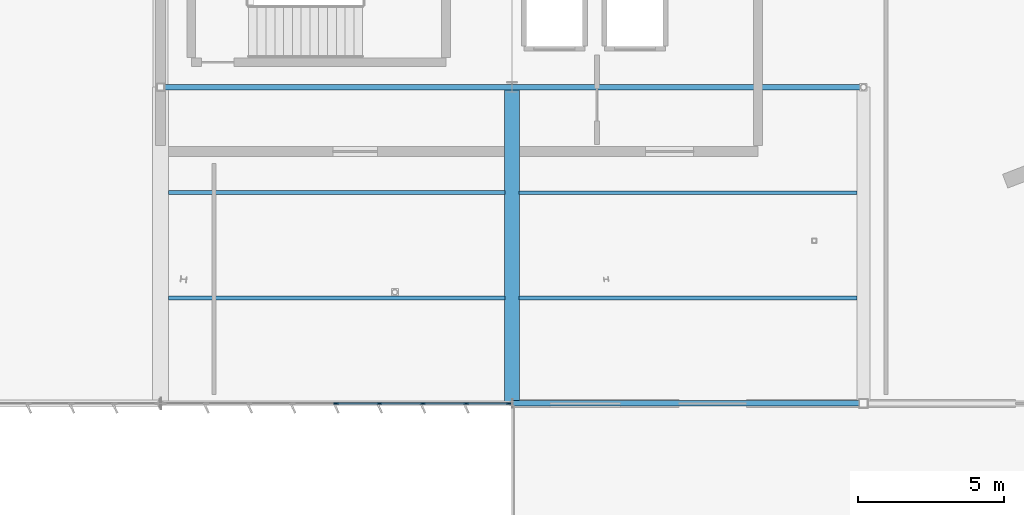
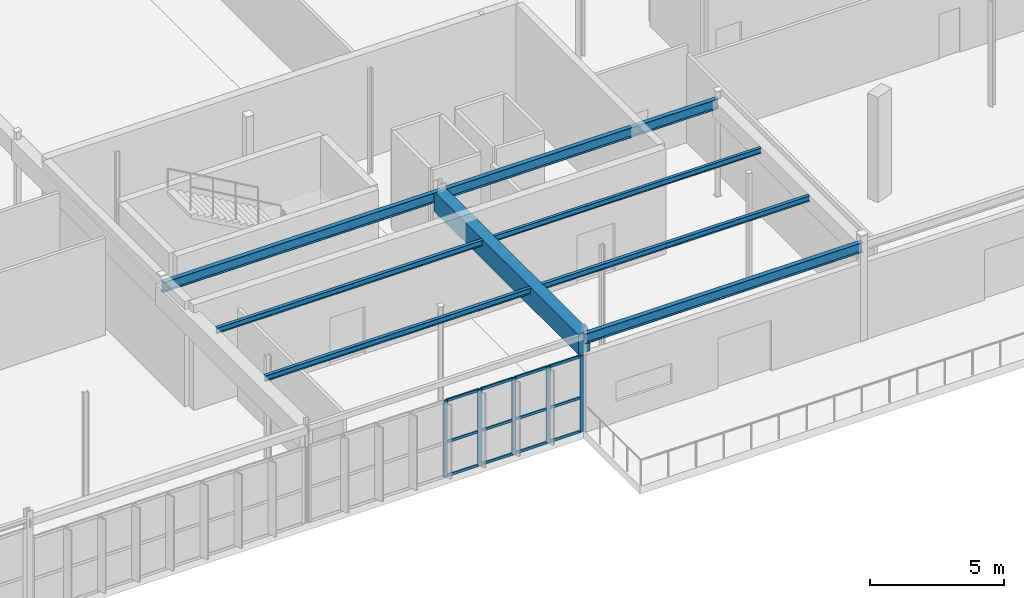
# One storey, part 74 of 199: 17 members, 8 beams, 1 element without a shape of its own.
"""IFC4 building model written with IfcOpenShell, lengths in metres."""

from ifc_helpers import new_model, si_unit, direction, frame, origin, origin_2d, place, context, subcontext, project, spatial, rectangle, i_section, extrude, material, layer, layer_set, material_profile, profile_set, type_object, element, aggregate, save


model = new_model("IFC4")

# Units and contexts
model_context = context("Model", 3, precision=1e-05, world=origin(), true_north=direction((0.0, 1.0)))
body_context = subcontext(model_context, "Body", "Model", "MODEL_VIEW")
ifc_project = project(units=[si_unit("LENGTHUNIT", "METRE"), si_unit("AREAUNIT", "SQUARE_METRE"), si_unit("VOLUMEUNIT", "CUBIC_METRE"), si_unit("PLANEANGLEUNIT", "RADIAN"), si_unit("MASSUNIT", "GRAM", prefix="KILO")], contexts=[model_context])

# Site, building, storey
site_placement = place(None, origin())
site = spatial("IfcSite", under=ifc_project, at=site_placement, CompositionType="ELEMENT")
building_placement = place(site_placement, origin())
building = spatial("IfcBuilding", under=site, at=building_placement, Name="Tarnwether General Hospital", CompositionType="ELEMENT")
storey_placement = place(building_placement, origin())
storey = spatial("IfcBuildingStorey", under=building, at=storey_placement, Name="L00", CompositionType="ELEMENT", Elevation=0.0)

# Beams
ifc_material_1 = material(Name="Steel Grade 350 (350 MPa)", Category="steel")
ifc_material_profile_1 = material_profile(ifc_material_1, i_section(OverallWidth=0.18994140625, OverallDepth=0.45703125, WebThickness=0.009033203125, FlangeThickness=0.014404296875, at=origin_2d()), Name="460UB74.6")
ifc_profile_set_1 = profile_set([ifc_material_profile_1], Name="Steel Grade 350 (350 MPa)")
beam_type_1 = type_object("IfcBeamType", Name="BM-G09", PredefinedType="BEAM", material=ifc_profile_set_1)
beam_1_placement = place(storey_placement, frame((84.0, 10.800048828125, 4.216552734375), z_axis=(1.0, 0.0, 0.0), x_axis=(0.0, 1.0, 0.0)))
element("IfcBeam", 1, at=beam_1_placement, inside=storey, type_object=beam_type_1, Name="Primary Girder BMG-L00-8400_1080-9600_1080-0719", PredefinedType="BEAM", context=body_context, shape_type="SweptSolid", body=[
    extrude(i_section(OverallWidth=0.18994140625, OverallDepth=0.45703125, WebThickness=0.009033203125, FlangeThickness=0.014404296875, at=origin_2d()), origin(), (0.0, 0.0, 1.0), 12.0),
])
ifc_material_2 = material(Name="Steel Grade 350 (350 MPa)", Category="steel")
ifc_material_profile_2 = material_profile(ifc_material_2, i_section(OverallWidth=0.18994140625, OverallDepth=0.4541015625, WebThickness=0.008544921875, FlangeThickness=0.0126953125, at=origin_2d()), Name="460UB67.1")
ifc_profile_set_2 = profile_set([ifc_material_profile_2], Name="Steel Grade 350 (350 MPa)")
beam_type_2 = type_object("IfcBeamType", Name="BM-G10", PredefinedType="BEAM", material=ifc_profile_set_2)
beam_2_placement = place(storey_placement, frame((96.0, 10.800048828125, 4.218017578125), z_axis=(1.0, 0.0, 0.0), x_axis=(0.0, 1.0, 0.0)))
element("IfcBeam", 2, at=beam_2_placement, inside=storey, type_object=beam_type_2, Name="Primary Girder BMG-L00-9600_1080-10800_1080-0735", PredefinedType="BEAM", context=body_context, shape_type="SweptSolid", body=[
    extrude(i_section(OverallWidth=0.18994140625, OverallDepth=0.4541015625, WebThickness=0.008544921875, FlangeThickness=0.0126953125, at=origin_2d()), origin(), (0.0, 0.0, 1.0), 12.0),
])
ifc_material_3 = material(Name="Concrete 40 MPa", Category="concrete")
ifc_material_profile_3 = material_profile(ifc_material_3, rectangle(XDim=0.5, YDim=0.89990234375, at=origin_2d()), Name="RC-BM-500x900")
ifc_profile_set_3 = profile_set([ifc_material_profile_3], Name="Concrete 40 MPa")
beam_type_3 = type_object("IfcBeamType", Name="BM-G12", PredefinedType="BEAM", material=ifc_profile_set_3)
beam_3_placement = place(storey_placement, frame((96.0, 0.0, 3.9951171875), z_axis=(0.0, 1.0, 0.0), x_axis=(-1.0, 0.0, 0.0)))
element("IfcBeam", 3, at=beam_3_placement, inside=storey, type_object=beam_type_3, Name="Primary Girder BMG-L00-9600_0-9600_1080-0734", PredefinedType="BEAM", context=body_context, shape_type="SweptSolid", body=[
    extrude(rectangle(XDim=0.5, YDim=0.89990234375, at=origin_2d()), origin(), (0.0, 0.0, 1.0), 10.800048828125),
])
ifc_material_4 = material(Name="Steel Grade 350 (350 MPa)", Category="steel")
ifc_material_profile_4 = material_profile(ifc_material_4, i_section(OverallWidth=0.14599609375, OverallDepth=0.256103515625, WebThickness=0.00634765625, FlangeThickness=0.010986328125, at=origin_2d()), Name="250UB37.3")
ifc_profile_set_4 = profile_set([ifc_material_profile_4], Name="Steel Grade 350 (350 MPa)")
beam_type_4 = type_object("IfcBeamType", Name="BM-J09", PredefinedType="JOIST", material=ifc_profile_set_4)
beam_4_placement = place(storey_placement, frame((84.26904296875, 3.60009765625, 4.31689453125), z_axis=(1.0, 0.0, 0.0), x_axis=(0.0, 1.0, 0.0)))
element("IfcBeam", 4, at=beam_4_placement, inside=storey, type_object=beam_type_4, Name="Composite Floor Joist BMG-L00-8427_360-9576_360-0973", PredefinedType="JOIST", context=body_context, shape_type="SweptSolid", body=[
    extrude(i_section(OverallWidth=0.14599609375, OverallDepth=0.256103515625, WebThickness=0.00634765625, FlangeThickness=0.010986328125, at=origin_2d()), origin(), (0.0, 0.0, 1.0), 11.487060546875),
])
ifc_material_5 = material(Name="Steel Grade 350 (350 MPa)", Category="steel")
ifc_material_profile_5 = material_profile(ifc_material_5, i_section(OverallWidth=0.14599609375, OverallDepth=0.251953125, WebThickness=0.006103515625, FlangeThickness=0.008544921875, at=origin_2d()), Name="250UB31.4")
ifc_profile_set_5 = profile_set([ifc_material_profile_5], Name="Steel Grade 350 (350 MPa)")
beam_type_5 = type_object("IfcBeamType", Name="BM-J10", PredefinedType="JOIST", material=ifc_profile_set_5)
beam_5_placement = place(storey_placement, frame((84.26904296875, 7.199951171875, 4.319091796875), z_axis=(1.0, 0.0, 0.0), x_axis=(0.0, 1.0, 0.0)))
element("IfcBeam", 5, at=beam_5_placement, inside=storey, type_object=beam_type_5, Name="Composite Floor Joist BMG-L00-8427_720-9576_720-0974", PredefinedType="JOIST", context=body_context, shape_type="SweptSolid", body=[
    extrude(i_section(OverallWidth=0.14599609375, OverallDepth=0.251953125, WebThickness=0.006103515625, FlangeThickness=0.008544921875, at=origin_2d()), origin(), (0.0, 0.0, 1.0), 11.487060546875),
])
beam_6_placement = place(storey_placement, frame((96.243896484375, 3.60009765625, 4.319091796875), z_axis=(1.0, 0.0, 0.0), x_axis=(0.0, 1.0, 0.0)))
element("IfcBeam", 6, at=beam_6_placement, inside=storey, type_object=beam_type_5, Name="Composite Floor Joist BMG-L00-9624_360-10778_360-0981", PredefinedType="JOIST", context=body_context, shape_type="SweptSolid", body=[
    extrude(i_section(OverallWidth=0.14599609375, OverallDepth=0.251953125, WebThickness=0.006103515625, FlangeThickness=0.008544921875, at=origin_2d()), origin(), (0.0, 0.0, 1.0), 11.537109375),
])
ifc_material_6 = material(Name="Steel Grade 350 (350 MPa)", Category="steel")
ifc_material_profile_6 = material_profile(ifc_material_6, i_section(OverallWidth=0.1240234375, OverallDepth=0.248046875, WebThickness=0.0048828125, FlangeThickness=0.008056640625, at=origin_2d()), Name="250UB25.7")
ifc_profile_set_6 = profile_set([ifc_material_profile_6], Name="Steel Grade 350 (350 MPa)")
beam_type_6 = type_object("IfcBeamType", Name="BM-J11", PredefinedType="JOIST", material=ifc_profile_set_6)
beam_7_placement = place(storey_placement, frame((96.243896484375, 7.199951171875, 4.321044921875), z_axis=(1.0, 0.0, 0.0), x_axis=(0.0, 1.0, 0.0)))
element("IfcBeam", 7, at=beam_7_placement, inside=storey, type_object=beam_type_6, Name="Composite Floor Joist BMG-L00-9624_720-10778_720-0982", PredefinedType="JOIST", context=body_context, shape_type="SweptSolid", body=[
    extrude(i_section(OverallWidth=0.1240234375, OverallDepth=0.248046875, WebThickness=0.0048828125, FlangeThickness=0.008056640625, at=origin_2d()), origin(), (0.0, 0.0, 1.0), 11.537109375),
])
ifc_material_7 = material(Name="Steel Grade 350 (350 MPa)", Category="steel")
ifc_material_profile_7 = material_profile(ifc_material_7, i_section(OverallWidth=0.18994140625, OverallDepth=0.4541015625, WebThickness=0.008544921875, FlangeThickness=0.0126953125, at=origin_2d()), Name="460UB67.1")
ifc_profile_set_7 = profile_set([ifc_material_profile_7], Name="Steel Grade 350 (350 MPa)")
beam_type_7 = type_object("IfcBeamType", Name="BM-SP1", PredefinedType="SPANDREL", material=ifc_profile_set_7)
beam_8_placement = place(storey_placement, frame((96.0, 0.0, 4.218017578125), z_axis=(1.0, 0.0, 0.0), x_axis=(0.0, 1.0, 0.0)))
element("IfcBeam", 8, at=beam_8_placement, inside=storey, type_object=beam_type_7, Name="Primary Girder BMG-L00-9600_0-10800_0-0733", PredefinedType="SPANDREL", context=body_context, shape_type="SweptSolid", body=[
    extrude(i_section(OverallWidth=0.18994140625, OverallDepth=0.4541015625, WebThickness=0.008544921875, FlangeThickness=0.0126953125, at=origin_2d()), origin(), (0.0, 0.0, 1.0), 12.0),
])

# Curtain wall, members
ifc_material_8 = material(Name="Anodised aluminium", Category="aluminium")
ifc_layer = layer(ifc_material_8, 0.159912109375)
ifc_layer_set = layer_set([ifc_layer], Name="Anodised aluminium")
curtain_wall_type = type_object("IfcCurtainWallType", Name="CW-13", PredefinedType="NOTDEFINED", material=ifc_layer_set)
curtain_wall_placement = place(storey_placement, origin())
curtain_wall = element("IfcCurtainWall", 9, at=curtain_wall_placement, inside=storey, type_object=curtain_wall_type, Name="Curtain Wall CWG-L00-959_0-0280", PredefinedType="NOTDEFINED")
ifc_material_9 = material(Name="Anodised aluminium", Category="aluminium")
ifc_material_profile_8 = material_profile(ifc_material_9, rectangle(XDim=0.06005859375, YDim=0.159912109375, at=origin_2d()), Name="ALU-MUL-60x160")
ifc_profile_set_8 = profile_set([ifc_material_profile_8], Name="Anodised aluminium")
member_type_1 = type_object("IfcMemberType", Name="CW-ML1", PredefinedType="MULLION", material=ifc_profile_set_8)
member_1_placement = place(storey_placement, frame((95.885986328125, 0.0, 0.0), z_axis=(0.0, 0.0, 1.0), x_axis=(0.0, -1.0, 0.0)))
member_1 = element("IfcMember", 10, at=member_1_placement, type_object=member_type_1, Name="CW-13 mullion 1", PredefinedType="MULLION", context=body_context, shape_type="SweptSolid", body=[
    extrude(rectangle(XDim=0.06005859375, YDim=0.159912109375, at=origin_2d()), origin(), (0.0, 0.0, 1.0), 3.47998046875),
])
member_2_placement = place(storey_placement, frame((94.43701171875, 0.0, 0.0), z_axis=(0.0, 0.0, 1.0), x_axis=(0.0, -1.0, 0.0)))
member_2 = element("IfcMember", 11, at=member_2_placement, type_object=member_type_1, Name="CW-13 mullion 2", PredefinedType="MULLION", context=body_context, shape_type="SweptSolid", body=[
    extrude(rectangle(XDim=0.06005859375, YDim=0.159912109375, at=origin_2d()), origin(), (0.0, 0.0, 1.0), 3.47998046875),
])
member_3_placement = place(storey_placement, frame((92.9580078125, 0.0, 0.0), z_axis=(0.0, 0.0, 1.0), x_axis=(0.0, -1.0, 0.0)))
member_3 = element("IfcMember", 12, at=member_3_placement, type_object=member_type_1, Name="CW-13 mullion 3", PredefinedType="MULLION", context=body_context, shape_type="SweptSolid", body=[
    extrude(rectangle(XDim=0.06005859375, YDim=0.159912109375, at=origin_2d()), origin(), (0.0, 0.0, 1.0), 3.47998046875),
])
member_4_placement = place(storey_placement, frame((91.47900390625, 0.0, 0.0), z_axis=(0.0, 0.0, 1.0), x_axis=(0.0, -1.0, 0.0)))
member_4 = element("IfcMember", 13, at=member_4_placement, type_object=member_type_1, Name="CW-13 mullion 4", PredefinedType="MULLION", context=body_context, shape_type="SweptSolid", body=[
    extrude(rectangle(XDim=0.06005859375, YDim=0.159912109375, at=origin_2d()), origin(), (0.0, 0.0, 1.0), 3.47998046875),
])
member_5_placement = place(storey_placement, frame((90.0, 0.0, 0.0), z_axis=(0.0, 0.0, 1.0), x_axis=(0.0, -1.0, 0.0)))
member_5 = element("IfcMember", 14, at=member_5_placement, type_object=member_type_1, Name="CW-13 mullion 5", PredefinedType="MULLION", context=body_context, shape_type="SweptSolid", body=[
    extrude(rectangle(XDim=0.06005859375, YDim=0.159912109375, at=origin_2d()), origin(), (0.0, 0.0, 1.0), 3.47998046875),
])
ifc_material_10 = material(Name="Anodised aluminium", Category="aluminium")
ifc_material_profile_9 = material_profile(ifc_material_10, rectangle(XDim=0.06005859375, YDim=0.1201171875, at=origin_2d()), Name="ALU-TRN-60x120")
ifc_profile_set_9 = profile_set([ifc_material_profile_9], Name="Anodised aluminium")
member_type_2 = type_object("IfcMemberType", Name="CW-TR1", PredefinedType="USERDEFINED", material=ifc_profile_set_9)
member_6_placement = place(storey_placement, frame((95.85595703125, 0.0, 0.030029296875), z_axis=(-1.0, 0.0, 0.0), x_axis=(0.0, -1.0, 0.0)))
member_6 = element("IfcMember", 15, at=member_6_placement, type_object=member_type_2, Name="CW-13 transom 1.1", ObjectType="TRANSOM", PredefinedType="USERDEFINED", context=body_context, shape_type="SweptSolid", body=[
    extrude(rectangle(XDim=0.06005859375, YDim=0.1201171875, at=origin_2d()), origin(), (0.0, 0.0, 1.0), 1.388916015625),
])
member_7_placement = place(storey_placement, frame((95.85595703125, 0.0, 1.56591796875), z_axis=(-1.0, 0.0, 0.0), x_axis=(0.0, -1.0, 0.0)))
member_7 = element("IfcMember", 16, at=member_7_placement, type_object=member_type_2, Name="CW-13 transom 1.2", ObjectType="TRANSOM", PredefinedType="USERDEFINED", context=body_context, shape_type="SweptSolid", body=[
    extrude(rectangle(XDim=0.06005859375, YDim=0.1201171875, at=origin_2d()), origin(), (0.0, 0.0, 1.0), 1.388916015625),
])
member_8_placement = place(storey_placement, frame((95.85595703125, 0.0, 3.449951171875), z_axis=(-1.0, 0.0, 0.0), x_axis=(0.0, -1.0, 0.0)))
member_8 = element("IfcMember", 17, at=member_8_placement, type_object=member_type_2, Name="CW-13 transom 1.3", ObjectType="TRANSOM", PredefinedType="USERDEFINED", context=body_context, shape_type="SweptSolid", body=[
    extrude(rectangle(XDim=0.06005859375, YDim=0.1201171875, at=origin_2d()), origin(), (0.0, 0.0, 1.0), 1.388916015625),
])
member_9_placement = place(storey_placement, frame((94.406982421875, 0.0, 0.030029296875), z_axis=(-1.0, 0.0, 0.0), x_axis=(0.0, -1.0, 0.0)))
member_9 = element("IfcMember", 18, at=member_9_placement, type_object=member_type_2, Name="CW-13 transom 2.1", ObjectType="TRANSOM", PredefinedType="USERDEFINED", context=body_context, shape_type="SweptSolid", body=[
    extrude(rectangle(XDim=0.06005859375, YDim=0.1201171875, at=origin_2d()), origin(), (0.0, 0.0, 1.0), 1.4189453125),
])
member_10_placement = place(storey_placement, frame((94.406982421875, 0.0, 1.56591796875), z_axis=(-1.0, 0.0, 0.0), x_axis=(0.0, -1.0, 0.0)))
member_10 = element("IfcMember", 19, at=member_10_placement, type_object=member_type_2, Name="CW-13 transom 2.2", ObjectType="TRANSOM", PredefinedType="USERDEFINED", context=body_context, shape_type="SweptSolid", body=[
    extrude(rectangle(XDim=0.06005859375, YDim=0.1201171875, at=origin_2d()), origin(), (0.0, 0.0, 1.0), 1.4189453125),
])
member_11_placement = place(storey_placement, frame((94.406982421875, 0.0, 3.449951171875), z_axis=(-1.0, 0.0, 0.0), x_axis=(0.0, -1.0, 0.0)))
member_11 = element("IfcMember", 20, at=member_11_placement, type_object=member_type_2, Name="CW-13 transom 2.3", ObjectType="TRANSOM", PredefinedType="USERDEFINED", context=body_context, shape_type="SweptSolid", body=[
    extrude(rectangle(XDim=0.06005859375, YDim=0.1201171875, at=origin_2d()), origin(), (0.0, 0.0, 1.0), 1.4189453125),
])
member_12_placement = place(storey_placement, frame((92.927978515625, 0.0, 0.030029296875), z_axis=(-1.0, 0.0, 0.0), x_axis=(0.0, -1.0, 0.0)))
member_12 = element("IfcMember", 21, at=member_12_placement, type_object=member_type_2, Name="CW-13 transom 3.1", ObjectType="TRANSOM", PredefinedType="USERDEFINED", context=body_context, shape_type="SweptSolid", body=[
    extrude(rectangle(XDim=0.06005859375, YDim=0.1201171875, at=origin_2d()), origin(), (0.0, 0.0, 1.0), 1.4189453125),
])
member_13_placement = place(storey_placement, frame((92.927978515625, 0.0, 1.56591796875), z_axis=(-1.0, 0.0, 0.0), x_axis=(0.0, -1.0, 0.0)))
member_13 = element("IfcMember", 22, at=member_13_placement, type_object=member_type_2, Name="CW-13 transom 3.2", ObjectType="TRANSOM", PredefinedType="USERDEFINED", context=body_context, shape_type="SweptSolid", body=[
    extrude(rectangle(XDim=0.06005859375, YDim=0.1201171875, at=origin_2d()), origin(), (0.0, 0.0, 1.0), 1.4189453125),
])
member_14_placement = place(storey_placement, frame((92.927978515625, 0.0, 3.449951171875), z_axis=(-1.0, 0.0, 0.0), x_axis=(0.0, -1.0, 0.0)))
member_14 = element("IfcMember", 23, at=member_14_placement, type_object=member_type_2, Name="CW-13 transom 3.3", ObjectType="TRANSOM", PredefinedType="USERDEFINED", context=body_context, shape_type="SweptSolid", body=[
    extrude(rectangle(XDim=0.06005859375, YDim=0.1201171875, at=origin_2d()), origin(), (0.0, 0.0, 1.0), 1.4189453125),
])
member_15_placement = place(storey_placement, frame((91.448974609375, 0.0, 0.030029296875), z_axis=(-1.0, 0.0, 0.0), x_axis=(0.0, -1.0, 0.0)))
member_15 = element("IfcMember", 24, at=member_15_placement, type_object=member_type_2, Name="CW-13 transom 4.1", ObjectType="TRANSOM", PredefinedType="USERDEFINED", context=body_context, shape_type="SweptSolid", body=[
    extrude(rectangle(XDim=0.06005859375, YDim=0.1201171875, at=origin_2d()), origin(), (0.0, 0.0, 1.0), 1.4189453125),
])
member_16_placement = place(storey_placement, frame((91.448974609375, 0.0, 1.56591796875), z_axis=(-1.0, 0.0, 0.0), x_axis=(0.0, -1.0, 0.0)))
member_16 = element("IfcMember", 25, at=member_16_placement, type_object=member_type_2, Name="CW-13 transom 4.2", ObjectType="TRANSOM", PredefinedType="USERDEFINED", context=body_context, shape_type="SweptSolid", body=[
    extrude(rectangle(XDim=0.06005859375, YDim=0.1201171875, at=origin_2d()), origin(), (0.0, 0.0, 1.0), 1.4189453125),
])
member_17_placement = place(storey_placement, frame((91.448974609375, 0.0, 3.449951171875), z_axis=(-1.0, 0.0, 0.0), x_axis=(0.0, -1.0, 0.0)))
member_17 = element("IfcMember", 26, at=member_17_placement, type_object=member_type_2, Name="CW-13 transom 4.3", ObjectType="TRANSOM", PredefinedType="USERDEFINED", context=body_context, shape_type="SweptSolid", body=[
    extrude(rectangle(XDim=0.06005859375, YDim=0.1201171875, at=origin_2d()), origin(), (0.0, 0.0, 1.0), 1.4189453125),
])
aggregate(curtain_wall, [member_1, member_2, member_3, member_4, member_5, member_6, member_7, member_8, member_9, member_10, member_11, member_12, member_13, member_14, member_15, member_16, member_17])

save(model, "model.ifc")
